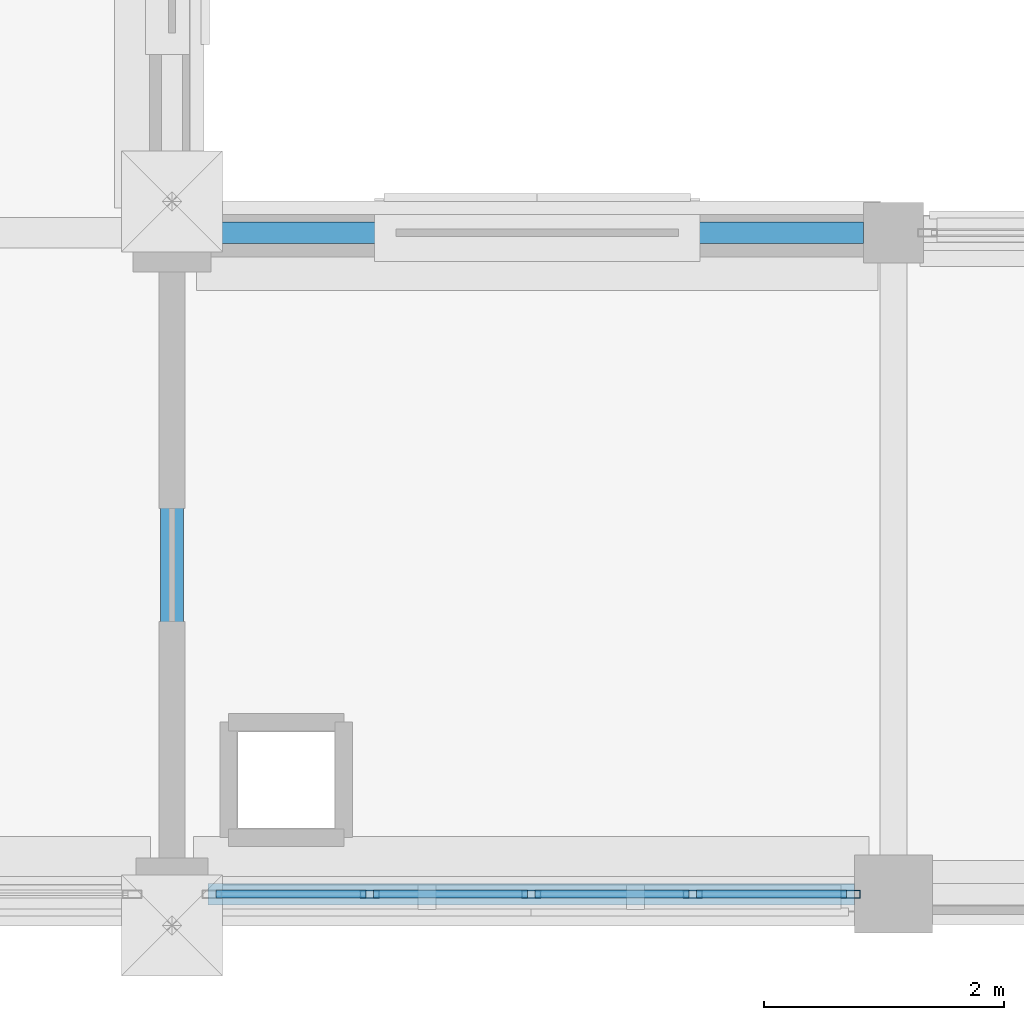
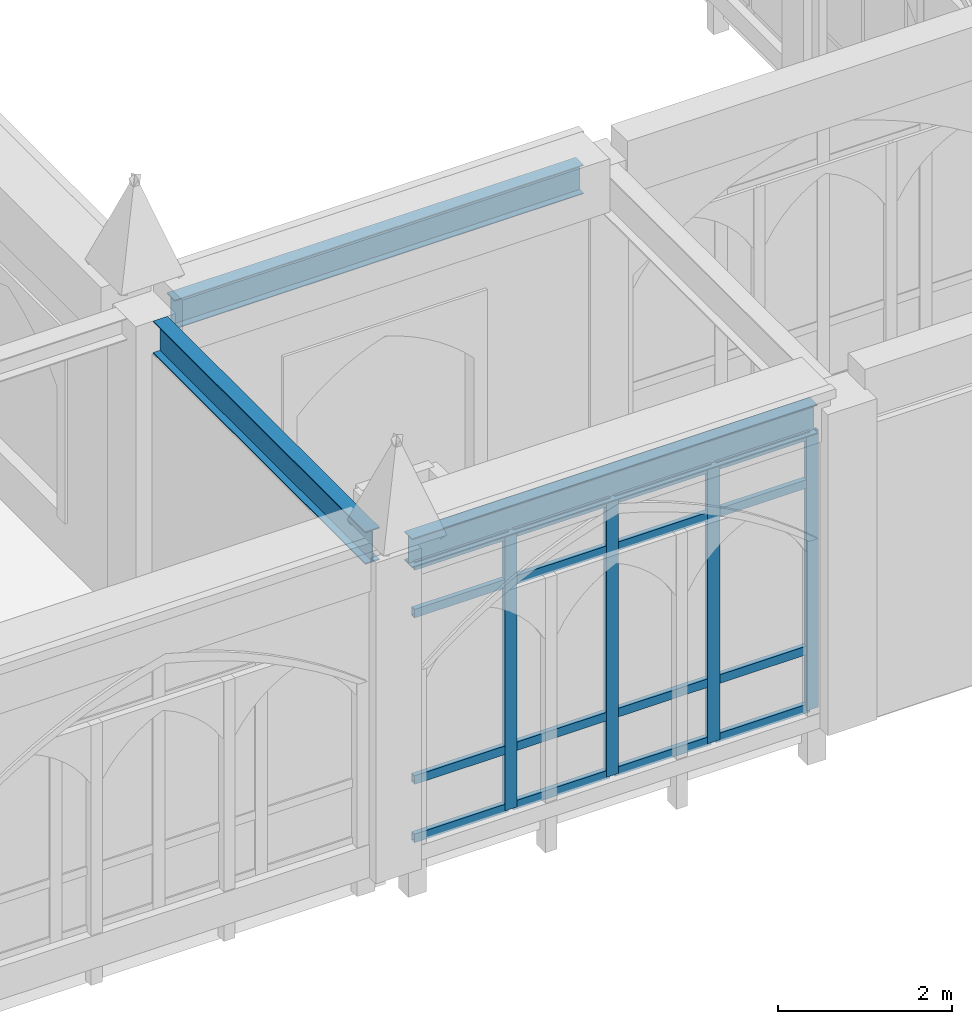
# One storey, part 10 of 143: 20 members, 3 beams, 1 element without a shape of its own.
"""IFC4 building model written with IfcOpenShell, lengths in metres."""

import ifcopenshell
import ifcopenshell.guid

model = None  # the IFC model being written
_history = None  # IfcOwnerHistory: only IFC2X3 demands one
_inside = {}  # id of a spatial element -> (the spatial element, [elements in it])
_under = {}  # id of a project, library or spatial element -> (it, [spatial elements below it])
_declared = {}  # id of a project -> (the project, [libraries it declares])
_typed = {}  # id of a type object -> (the type object, [elements of that type])
_made_of = {}  # id of a material, layer set ... -> (it, [elements and type objects made of it])


def new_model(schema):
    """Start an empty IFC model of exactly this schema.

    Asked for "IFC4X3", IfcOpenShell would pick the latest addendum, in which some entities
    have other attributes; the version numbers below select the first issue.
    IFC2X3 requires an IfcOwnerHistory on every rooted entity: one is made here for all.
    """
    global model, _history
    if schema == "IFC4X3":
        model = ifcopenshell.file(schema_version=(4, 3, 0, 0))
    else:
        model = ifcopenshell.file(schema=schema)
    _inside.clear()
    _under.clear()
    _declared.clear()
    _typed.clear()
    _made_of.clear()
    _history = None
    if model.schema == "IFC2X3":
        org = make("IfcOrganization", Name="unknown")
        user = make(
            "IfcPersonAndOrganization",
            ThePerson=make("IfcPerson", FamilyName="unknown"),
            TheOrganization=org,
        )
        app = make(
            "IfcApplication",
            ApplicationDeveloper=org,
            Version="unknown",
            ApplicationFullName="unknown",
            ApplicationIdentifier="unknown",
        )
        _history = make(
            "IfcOwnerHistory",
            OwningUser=user,
            OwningApplication=app,
            ChangeAction="ADDED",
            CreationDate=0,
        )
    return model


def make(cls, **values):
    """One entity of the class cls with the attributes given. An attribute that is None is left unset."""
    return model.create_entity(
        cls, **{name: value for name, value in values.items() if value is not None}
    )


def rooted(cls, **values):
    """An entity with a GlobalId (a new one), such as an element, a storey or a relation."""
    return make(cls, GlobalId=ifcopenshell.guid.new(), OwnerHistory=_history, **values)


def si_unit(unit_type, name, prefix=None):
    """IfcSIUnit, for example si_unit("LENGTHUNIT", "METRE", prefix="MILLI")."""
    return make("IfcSIUnit", UnitType=unit_type, Prefix=prefix, Name=name)


def assignment(units):
    """IfcUnitAssignment: the units of a project."""
    return None if units is None else make("IfcUnitAssignment", Units=units)


def point(xyz):
    """IfcCartesianPoint."""
    return None if xyz is None else make("IfcCartesianPoint", Coordinates=xyz)


def direction(xyz):
    """IfcDirection."""
    return None if xyz is None else make("IfcDirection", DirectionRatios=xyz)


def frame(location, z_axis=None, x_axis=None):
    """IfcAxis2Placement3D, a coordinate frame: its origin and axes. An axis left out is left unset."""
    return make(
        "IfcAxis2Placement3D",
        Location=point(location),
        Axis=direction(z_axis),
        RefDirection=direction(x_axis),
    )


def frame_2d(location, x_axis=None):
    """IfcAxis2Placement2D, a coordinate frame in the plane: its origin and x axis."""
    return make(
        "IfcAxis2Placement2D", Location=point(location), RefDirection=direction(x_axis)
    )


def origin():
    """The frame at (0, 0, 0) with its axes left unset."""
    return frame((0.0, 0.0, 0.0))


def origin_2d():
    """The frame at (0, 0) in the plane with its x axis left unset."""
    return frame_2d((0.0, 0.0))


def place(relative_to, where):
    """IfcLocalPlacement: puts the frame where relative to a parent placement (None: the world)."""
    return make(
        "IfcLocalPlacement", PlacementRelTo=relative_to, RelativePlacement=where
    )


def context(
    kind, dimensions, precision=None, world=None, true_north=None, identifier=None
):
    """IfcGeometricRepresentationContext, for example the 3D "Model" context."""
    return make(
        "IfcGeometricRepresentationContext",
        ContextIdentifier=identifier,
        ContextType=kind,
        CoordinateSpaceDimension=dimensions,
        Precision=precision,
        WorldCoordinateSystem=world,
        TrueNorth=true_north,
    )


def subcontext(parent, identifier, kind, view, scale=None):
    """IfcGeometricRepresentationSubContext, for example "Body" below "Model"."""
    return make(
        "IfcGeometricRepresentationSubContext",
        ContextIdentifier=identifier,
        ContextType=kind,
        ParentContext=parent,
        TargetScale=scale,
        TargetView=view,
    )


def project(units=None, contexts=None):
    """IfcProject with its units and contexts."""
    return rooted(
        "IfcProject",
        Name="project",
        RepresentationContexts=contexts,
        UnitsInContext=assignment(units),
    )


def spatial(cls, under=None, at=None, **own):
    """A site, building, storey or space (cls), placed at a placement, below another one or the project."""
    s = rooted(cls, ObjectPlacement=at, **own)
    if under is not None:
        _under.setdefault(under.id(), (under, []))[1].append(s)
    return s


def profile(cls, at=None, kind="AREA", **sizes):
    """A parametric profile (cls). Its sizes go by their IFC names, for example OverallWidth=200.0."""
    return make(cls, ProfileType=kind, Position=at, **sizes)


def hollow_rectangle(**sizes):
    """IfcRectangleHollowProfileDef."""
    return profile("IfcRectangleHollowProfileDef", **sizes)


def i_section(**sizes):
    """IfcIShapeProfileDef."""
    return profile("IfcIShapeProfileDef", **sizes)


def extrude(swept, where, along, depth):
    """IfcExtrudedAreaSolid: the profile swept, set in the frame where, extruded along a direction by depth."""
    return make(
        "IfcExtrudedAreaSolid",
        SweptArea=swept,
        Position=where,
        ExtrudedDirection=direction(along),
        Depth=depth,
    )


def shape(context_of_items, identifier, shape_type, items):
    """IfcShapeRepresentation: the items that make up one representation, for example the "Body"."""
    return make(
        "IfcShapeRepresentation",
        ContextOfItems=context_of_items,
        RepresentationIdentifier=identifier,
        RepresentationType=shape_type,
        Items=items,
    )


def material(Name=None, Category=None):
    """IfcMaterial."""
    return make("IfcMaterial", Name=Name, Category=Category)


def layer(
    of_material, thickness, ventilated=None, Name=None, Category=None, Priority=None
):
    """IfcMaterialLayer: one layer of a wall or slab, of a material (None: an air gap)."""
    return make(
        "IfcMaterialLayer",
        Material=of_material,
        LayerThickness=thickness,
        IsVentilated=ventilated,
        Name=Name,
        Category=Category,
        Priority=Priority,
    )


def layer_set(layers, Name=None):
    """IfcMaterialLayerSet."""
    return make("IfcMaterialLayerSet", MaterialLayers=layers, LayerSetName=Name)


def material_profile(
    of_material, cross_section, Name=None, Category=None, Priority=None
):
    """IfcMaterialProfile: a cross section and its material."""
    return make(
        "IfcMaterialProfile",
        Name=Name,
        Material=of_material,
        Profile=cross_section,
        Priority=Priority,
        Category=Category,
    )


def profile_set(profiles, Name=None, composite=None):
    """IfcMaterialProfileSet."""
    return make(
        "IfcMaterialProfileSet",
        Name=Name,
        MaterialProfiles=profiles,
        CompositeProfile=composite,
    )


def made_of(thing, what):
    """Note that an element or type object is made of a material, layer set ...; save() writes the relation."""
    if what is not None:
        _made_of.setdefault(what.id(), (what, []))[1].append(thing)
    return thing


def type_object(cls, material=None, **own):
    """A type object (cls), such as IfcWallType, which elements share."""
    return made_of(rooted(cls, **own), material)


def element(
    cls,
    number,
    at=None,
    inside=None,
    cuts=None,
    type_object=None,
    material=None,
    context=None,
    identifier="Body",
    shape_type=None,
    held_by="IfcProductDefinitionShape",
    body=None,
    shapes=None,
    **own,
):
    """One element of the class cls, such as IfcWall. Its Tag is "e" and its number.

    at: its placement. inside: the storey or other place that contains it. cuts: it is an
    opening in that element (IfcRelVoidsElement). A single representation is given by context,
    identifier, shape_type and body (its items); several are given by shapes. held_by: the class
    of the entity that holds the representations. save() writes the other relations.
    """
    e = rooted(cls, Tag="e%d" % number, ObjectPlacement=at, **own)
    if body is not None:
        shapes = [shape(context, identifier, shape_type, body)]
    if shapes is not None:
        e.Representation = make(held_by, Representations=shapes)
    if inside is not None:
        _inside.setdefault(inside.id(), (inside, []))[1].append(e)
    if cuts is not None:
        rooted(
            "IfcRelVoidsElement", RelatingBuildingElement=cuts, RelatedOpeningElement=e
        )
    if type_object is not None:
        _typed.setdefault(type_object.id(), (type_object, []))[1].append(e)
    return made_of(e, material)


def aggregate(whole, parts):
    """IfcRelAggregates: a whole, such as a stair, and the parts it consists of."""
    return rooted("IfcRelAggregates", RelatingObject=whole, RelatedObjects=parts)


def save(model, path):
    """Write the relations noted so far, then the file.

    IfcRelAggregates (storeys below a building ...), IfcRelContainedInSpatialStructure (elements
    in a storey), IfcRelDefinesByType, IfcRelAssociatesMaterial and IfcRelDeclares: one each for
    every whole, place, type object, material and project.
    """
    for whole, parts in _under.values():
        aggregate(whole, parts)
    for where, things in _inside.values():
        rooted(
            "IfcRelContainedInSpatialStructure",
            RelatedElements=things,
            RelatingStructure=where,
        )
    for kind, things in _typed.values():
        rooted("IfcRelDefinesByType", RelatedObjects=things, RelatingType=kind)
    for what, things in _made_of.values():
        rooted("IfcRelAssociatesMaterial", RelatedObjects=things, RelatingMaterial=what)
    for by, libraries in _declared.values():
        rooted("IfcRelDeclares", RelatingContext=by, RelatedDefinitions=libraries)
    model.write(path)


model = new_model("IFC4")

# Units and contexts
model_context = context("Model", 3, precision=1e-05, world=origin(), true_north=direction((0.0, 1.0)))
body_context = subcontext(model_context, "Body", "Model", "MODEL_VIEW")
ifc_project = project(units=[si_unit("LENGTHUNIT", "METRE"), si_unit("AREAUNIT", "SQUARE_METRE"), si_unit("VOLUMEUNIT", "CUBIC_METRE"), si_unit("PLANEANGLEUNIT", "RADIAN"), si_unit("MASSUNIT", "GRAM", prefix="KILO")], contexts=[model_context])

# Site, building, storey
site_placement = place(None, origin())
site = spatial("IfcSite", under=ifc_project, at=site_placement, CompositionType="ELEMENT")
building_placement = place(site_placement, origin())
building = spatial("IfcBuilding", under=site, at=building_placement, Name="Cumevento Cable Car Station", CompositionType="ELEMENT")
storey_placement = place(building_placement, frame((0.0, 0.0, 9.0)))
storey = spatial("IfcBuildingStorey", under=building, at=storey_placement, Name="L03", CompositionType="ELEMENT", Elevation=9.0)

# Curtain wall, members
ifc_material_1 = material(Name="Anodised Bronze Aluminium AW-6063-T6", Category="aluminium")
ifc_layer = layer(ifc_material_1, 0.214111328125)
ifc_layer_set = layer_set([ifc_layer], Name="Anodised Bronze Aluminium AW-6063-T6")
curtain_wall_type = type_object("IfcCurtainWallType", Name="Lancet Curtain Wall CW-10 1410", PredefinedType="NOTDEFINED", material=ifc_layer_set)
curtain_wall_placement = place(storey_placement, origin())
curtain_wall = element("IfcCurtainWall", 1, at=curtain_wall_placement, inside=storey, type_object=curtain_wall_type, Name="Lancet Curtain Wall CW-10 L03 #73", PredefinedType="NOTDEFINED")
ifc_material_2 = material(Name="Anodised Bronze Aluminium AW-6063-T6", Category="aluminium")
ifc_material_profile_1 = material_profile(ifc_material_2, hollow_rectangle(XDim=0.06494140625, YDim=0.159912109375, WallThickness=0.00390625, at=origin_2d()), Name="ALUM65x160x4")
ifc_profile_set_1 = profile_set([ifc_material_profile_1], Name="Anodised Bronze Aluminium AW-6063-T6")
member_type_1 = type_object("IfcMemberType", Name="Curtain Mullion CWM-01 ALUM65x160x4", PredefinedType="MULLION", material=ifc_profile_set_1)
member_1_placement = place(storey_placement, frame((51.642578125, 4.0, 0.2099609375), z_axis=(0.0, 0.0, 1.0), x_axis=(0.0, -1.0, 0.0)))
member_1 = element("IfcMember", 2, at=member_1_placement, type_object=member_type_1, Name="CW-10 mullion 1", PredefinedType="MULLION", context=body_context, shape_type="SweptSolid", body=[
    extrude(hollow_rectangle(XDim=0.06494140625, YDim=0.159912109375, WallThickness=0.00390625, at=origin_2d()), origin(), (0.0, 0.0, 1.0), 3.883056640625),
])
member_2_placement = place(storey_placement, frame((50.331298828125, 4.0, 0.2099609375), z_axis=(0.0, 0.0, 1.0), x_axis=(0.0, -1.0, 0.0)))
member_2 = element("IfcMember", 3, at=member_2_placement, type_object=member_type_1, Name="CW-10 mullion 2", PredefinedType="MULLION", context=body_context, shape_type="SweptSolid", body=[
    extrude(hollow_rectangle(XDim=0.06494140625, YDim=0.159912109375, WallThickness=0.00390625, at=origin_2d()), origin(), (0.0, 0.0, 1.0), 3.883056640625),
])
member_3_placement = place(storey_placement, frame((48.987548828125, 4.0, 0.2099609375), z_axis=(0.0, 0.0, 1.0), x_axis=(0.0, -1.0, 0.0)))
member_3 = element("IfcMember", 4, at=member_3_placement, type_object=member_type_1, Name="CW-10 mullion 3", PredefinedType="MULLION", context=body_context, shape_type="SweptSolid", body=[
    extrude(hollow_rectangle(XDim=0.06494140625, YDim=0.159912109375, WallThickness=0.00390625, at=origin_2d()), origin(), (0.0, 0.0, 1.0), 3.883056640625),
])
member_4_placement = place(storey_placement, frame((47.643798828125, 4.0, 0.2099609375), z_axis=(0.0, 0.0, 1.0), x_axis=(0.0, -1.0, 0.0)))
member_4 = element("IfcMember", 5, at=member_4_placement, type_object=member_type_1, Name="CW-10 mullion 4", PredefinedType="MULLION", context=body_context, shape_type="SweptSolid", body=[
    extrude(hollow_rectangle(XDim=0.06494140625, YDim=0.159912109375, WallThickness=0.00390625, at=origin_2d()), origin(), (0.0, 0.0, 1.0), 3.883056640625),
])
ifc_material_3 = material(Name="Anodised Bronze Aluminium AW-6063-T6", Category="aluminium")
ifc_material_profile_2 = material_profile(ifc_material_3, hollow_rectangle(XDim=0.06494140625, YDim=0.1201171875, WallThickness=0.00390625, at=origin_2d()), Name="ALUT65x120x4")
ifc_profile_set_2 = profile_set([ifc_material_profile_2], Name="Anodised Bronze Aluminium AW-6063-T6")
member_type_2 = type_object("IfcMemberType", Name="Curtain Transom CWT-01 ALUT65x120x4", PredefinedType="USERDEFINED", material=ifc_profile_set_2)
member_5_placement = place(storey_placement, frame((51.610107421875, 4.0, 0.242431640625), z_axis=(-1.0, 0.0, 0.0), x_axis=(0.0, -1.0, 0.0)))
member_5 = element("IfcMember", 6, at=member_5_placement, type_object=member_type_2, Name="CW-10 transom 1.1", ObjectType="TRANSOM", PredefinedType="USERDEFINED", context=body_context, shape_type="SweptSolid", body=[
    extrude(hollow_rectangle(XDim=0.06494140625, YDim=0.1201171875, WallThickness=0.00390625, at=origin_2d()), origin(), (0.0, 0.0, 1.0), 1.246337890625),
])
member_6_placement = place(storey_placement, frame((51.610107421875, 4.0, 1.06005859375), z_axis=(-1.0, 0.0, 0.0), x_axis=(0.0, -1.0, 0.0)))
member_6 = element("IfcMember", 7, at=member_6_placement, type_object=member_type_2, Name="CW-10 transom 1.2", ObjectType="TRANSOM", PredefinedType="USERDEFINED", context=body_context, shape_type="SweptSolid", body=[
    extrude(hollow_rectangle(XDim=0.06494140625, YDim=0.1201171875, WallThickness=0.00390625, at=origin_2d()), origin(), (0.0, 0.0, 1.0), 1.246337890625),
])
member_7_placement = place(storey_placement, frame((51.610107421875, 4.0, 3.39306640625), z_axis=(-1.0, 0.0, 0.0), x_axis=(0.0, -1.0, 0.0)))
member_7 = element("IfcMember", 8, at=member_7_placement, type_object=member_type_2, Name="CW-10 transom 1.3", ObjectType="TRANSOM", PredefinedType="USERDEFINED", context=body_context, shape_type="SweptSolid", body=[
    extrude(hollow_rectangle(XDim=0.06494140625, YDim=0.1201171875, WallThickness=0.00390625, at=origin_2d()), origin(), (0.0, 0.0, 1.0), 1.246337890625),
])
member_8_placement = place(storey_placement, frame((51.610107421875, 4.0, 4.060546875), z_axis=(-1.0, 0.0, 0.0), x_axis=(0.0, -1.0, 0.0)))
member_8 = element("IfcMember", 9, at=member_8_placement, type_object=member_type_2, Name="CW-10 transom 1.4", ObjectType="TRANSOM", PredefinedType="USERDEFINED", context=body_context, shape_type="SweptSolid", body=[
    extrude(hollow_rectangle(XDim=0.06494140625, YDim=0.1201171875, WallThickness=0.00390625, at=origin_2d()), origin(), (0.0, 0.0, 1.0), 1.246337890625),
])
member_9_placement = place(storey_placement, frame((50.298828125, 4.0, 0.242431640625), z_axis=(-1.0, 0.0, 0.0), x_axis=(0.0, -1.0, 0.0)))
member_9 = element("IfcMember", 10, at=member_9_placement, type_object=member_type_2, Name="CW-10 transom 2.1", ObjectType="TRANSOM", PredefinedType="USERDEFINED", context=body_context, shape_type="SweptSolid", body=[
    extrude(hollow_rectangle(XDim=0.06494140625, YDim=0.1201171875, WallThickness=0.00390625, at=origin_2d()), origin(), (0.0, 0.0, 1.0), 1.27880859375),
])
member_10_placement = place(storey_placement, frame((50.298828125, 4.0, 1.06005859375), z_axis=(-1.0, 0.0, 0.0), x_axis=(0.0, -1.0, 0.0)))
member_10 = element("IfcMember", 11, at=member_10_placement, type_object=member_type_2, Name="CW-10 transom 2.2", ObjectType="TRANSOM", PredefinedType="USERDEFINED", context=body_context, shape_type="SweptSolid", body=[
    extrude(hollow_rectangle(XDim=0.06494140625, YDim=0.1201171875, WallThickness=0.00390625, at=origin_2d()), origin(), (0.0, 0.0, 1.0), 1.27880859375),
])
member_11_placement = place(storey_placement, frame((50.298828125, 4.0, 3.39306640625), z_axis=(-1.0, 0.0, 0.0), x_axis=(0.0, -1.0, 0.0)))
member_11 = element("IfcMember", 12, at=member_11_placement, type_object=member_type_2, Name="CW-10 transom 2.3", ObjectType="TRANSOM", PredefinedType="USERDEFINED", context=body_context, shape_type="SweptSolid", body=[
    extrude(hollow_rectangle(XDim=0.06494140625, YDim=0.1201171875, WallThickness=0.00390625, at=origin_2d()), origin(), (0.0, 0.0, 1.0), 1.27880859375),
])
member_12_placement = place(storey_placement, frame((50.298828125, 4.0, 4.060546875), z_axis=(-1.0, 0.0, 0.0), x_axis=(0.0, -1.0, 0.0)))
member_12 = element("IfcMember", 13, at=member_12_placement, type_object=member_type_2, Name="CW-10 transom 2.4", ObjectType="TRANSOM", PredefinedType="USERDEFINED", context=body_context, shape_type="SweptSolid", body=[
    extrude(hollow_rectangle(XDim=0.06494140625, YDim=0.1201171875, WallThickness=0.00390625, at=origin_2d()), origin(), (0.0, 0.0, 1.0), 1.27880859375),
])
member_13_placement = place(storey_placement, frame((48.955078125, 4.0, 0.242431640625), z_axis=(-1.0, 0.0, 0.0), x_axis=(0.0, -1.0, 0.0)))
member_13 = element("IfcMember", 14, at=member_13_placement, type_object=member_type_2, Name="CW-10 transom 3.1", ObjectType="TRANSOM", PredefinedType="USERDEFINED", context=body_context, shape_type="SweptSolid", body=[
    extrude(hollow_rectangle(XDim=0.06494140625, YDim=0.1201171875, WallThickness=0.00390625, at=origin_2d()), origin(), (0.0, 0.0, 1.0), 1.27880859375),
])
member_14_placement = place(storey_placement, frame((48.955078125, 4.0, 1.06005859375), z_axis=(-1.0, 0.0, 0.0), x_axis=(0.0, -1.0, 0.0)))
member_14 = element("IfcMember", 15, at=member_14_placement, type_object=member_type_2, Name="CW-10 transom 3.2", ObjectType="TRANSOM", PredefinedType="USERDEFINED", context=body_context, shape_type="SweptSolid", body=[
    extrude(hollow_rectangle(XDim=0.06494140625, YDim=0.1201171875, WallThickness=0.00390625, at=origin_2d()), origin(), (0.0, 0.0, 1.0), 1.27880859375),
])
member_15_placement = place(storey_placement, frame((48.955078125, 4.0, 3.39306640625), z_axis=(-1.0, 0.0, 0.0), x_axis=(0.0, -1.0, 0.0)))
member_15 = element("IfcMember", 16, at=member_15_placement, type_object=member_type_2, Name="CW-10 transom 3.3", ObjectType="TRANSOM", PredefinedType="USERDEFINED", context=body_context, shape_type="SweptSolid", body=[
    extrude(hollow_rectangle(XDim=0.06494140625, YDim=0.1201171875, WallThickness=0.00390625, at=origin_2d()), origin(), (0.0, 0.0, 1.0), 1.27880859375),
])
member_16_placement = place(storey_placement, frame((48.955078125, 4.0, 4.060546875), z_axis=(-1.0, 0.0, 0.0), x_axis=(0.0, -1.0, 0.0)))
member_16 = element("IfcMember", 17, at=member_16_placement, type_object=member_type_2, Name="CW-10 transom 3.4", ObjectType="TRANSOM", PredefinedType="USERDEFINED", context=body_context, shape_type="SweptSolid", body=[
    extrude(hollow_rectangle(XDim=0.06494140625, YDim=0.1201171875, WallThickness=0.00390625, at=origin_2d()), origin(), (0.0, 0.0, 1.0), 1.27880859375),
])
member_17_placement = place(storey_placement, frame((47.611328125, 4.0, 0.242431640625), z_axis=(-1.0, 0.0, 0.0), x_axis=(0.0, -1.0, 0.0)))
member_17 = element("IfcMember", 18, at=member_17_placement, type_object=member_type_2, Name="CW-10 transom 4.1", ObjectType="TRANSOM", PredefinedType="USERDEFINED", context=body_context, shape_type="SweptSolid", body=[
    extrude(hollow_rectangle(XDim=0.06494140625, YDim=0.1201171875, WallThickness=0.00390625, at=origin_2d()), origin(), (0.0, 0.0, 1.0), 1.246337890625),
])
member_18_placement = place(storey_placement, frame((47.611328125, 4.0, 1.06005859375), z_axis=(-1.0, 0.0, 0.0), x_axis=(0.0, -1.0, 0.0)))
member_18 = element("IfcMember", 19, at=member_18_placement, type_object=member_type_2, Name="CW-10 transom 4.2", ObjectType="TRANSOM", PredefinedType="USERDEFINED", context=body_context, shape_type="SweptSolid", body=[
    extrude(hollow_rectangle(XDim=0.06494140625, YDim=0.1201171875, WallThickness=0.00390625, at=origin_2d()), origin(), (0.0, 0.0, 1.0), 1.246337890625),
])
member_19_placement = place(storey_placement, frame((47.611328125, 4.0, 3.39306640625), z_axis=(-1.0, 0.0, 0.0), x_axis=(0.0, -1.0, 0.0)))
member_19 = element("IfcMember", 20, at=member_19_placement, type_object=member_type_2, Name="CW-10 transom 4.3", ObjectType="TRANSOM", PredefinedType="USERDEFINED", context=body_context, shape_type="SweptSolid", body=[
    extrude(hollow_rectangle(XDim=0.06494140625, YDim=0.1201171875, WallThickness=0.00390625, at=origin_2d()), origin(), (0.0, 0.0, 1.0), 1.246337890625),
])
member_20_placement = place(storey_placement, frame((47.611328125, 4.0, 4.060546875), z_axis=(-1.0, 0.0, 0.0), x_axis=(0.0, -1.0, 0.0)))
member_20 = element("IfcMember", 21, at=member_20_placement, type_object=member_type_2, Name="CW-10 transom 4.4", ObjectType="TRANSOM", PredefinedType="USERDEFINED", context=body_context, shape_type="SweptSolid", body=[
    extrude(hollow_rectangle(XDim=0.06494140625, YDim=0.1201171875, WallThickness=0.00390625, at=origin_2d()), origin(), (0.0, 0.0, 1.0), 1.246337890625),
])
aggregate(curtain_wall, [member_1, member_2, member_3, member_4, member_5, member_6, member_7, member_8, member_9, member_10, member_11, member_12, member_13, member_14, member_15, member_16, member_17, member_18, member_19, member_20])

# Beams
ifc_material_4 = material(Name="Steel ASTM A572 Grade 50", Category="steel")
ifc_material_profile_3 = material_profile(ifc_material_4, i_section(OverallWidth=0.18994140625, OverallDepth=0.45703125, WebThickness=0.009033203125, FlangeThickness=0.014404296875, at=origin_2d()), Name="W460x74.0")
ifc_profile_set_3 = profile_set([ifc_material_profile_3], Name="Steel ASTM A572 Grade 50")
beam_type_1 = type_object("IfcBeamType", Name="Structural Beam BM-04 W460x74.0", PredefinedType="BEAM", material=ifc_profile_set_3)
beam_1_placement = place(storey_placement, frame((46.0, 4.300048828125, 4.271484375), z_axis=(0.0, 1.0, 0.0), x_axis=(-1.0, 0.0, 0.0)))
element("IfcBeam", 22, at=beam_1_placement, inside=storey, type_object=beam_type_1, Name="Beam BM-04 L03 #944", PredefinedType="BEAM", context=body_context, shape_type="SweptSolid", body=[
    extrude(i_section(OverallWidth=0.18994140625, OverallDepth=0.45703125, WebThickness=0.009033203125, FlangeThickness=0.014404296875, at=origin_2d()), origin(), (0.0, 0.0, 1.0), 4.875),
])
ifc_material_5 = material(Name="Steel ASTM A572 Grade 50", Category="steel")
ifc_material_profile_4 = material_profile(ifc_material_5, i_section(OverallWidth=0.177978515625, OverallDepth=0.406982421875, WebThickness=0.0078125, FlangeThickness=0.0126953125, at=origin_2d()), Name="W410x60.0")
ifc_profile_set_4 = profile_set([ifc_material_profile_4], Name="Steel ASTM A572 Grade 50")
beam_type_2 = type_object("IfcBeamType", Name="Structural Spandrel SP-01 W410x60.0", PredefinedType="SPANDREL", material=ifc_profile_set_4)
beam_2_placement = place(storey_placement, frame((46.300048828125, 4.0, 4.29638671875), z_axis=(1.0, 0.0, 0.0), x_axis=(0.0, 1.0, 0.0)))
element("IfcBeam", 23, at=beam_2_placement, inside=storey, type_object=beam_type_2, Name="Beam SP-01 L03 #946", PredefinedType="SPANDREL", context=body_context, shape_type="SweptSolid", body=[
    extrude(i_section(OverallWidth=0.177978515625, OverallDepth=0.406982421875, WebThickness=0.0078125, FlangeThickness=0.0126953125, at=origin_2d()), origin(), (0.0, 0.0, 1.0), 5.375),
])
beam_3_placement = place(storey_placement, frame((46.324951171875, 9.5, 4.29638671875), z_axis=(1.0, 0.0, 0.0), x_axis=(0.0, 1.0, 0.0)))
element("IfcBeam", 24, at=beam_3_placement, inside=storey, type_object=beam_type_2, Name="Beam SP-01 L03 #952", PredefinedType="SPANDREL", context=body_context, shape_type="SweptSolid", body=[
    extrude(i_section(OverallWidth=0.177978515625, OverallDepth=0.406982421875, WebThickness=0.0078125, FlangeThickness=0.0126953125, at=origin_2d()), origin(), (0.0, 0.0, 1.0), 5.425048828125),
])

save(model, "model.ifc")
